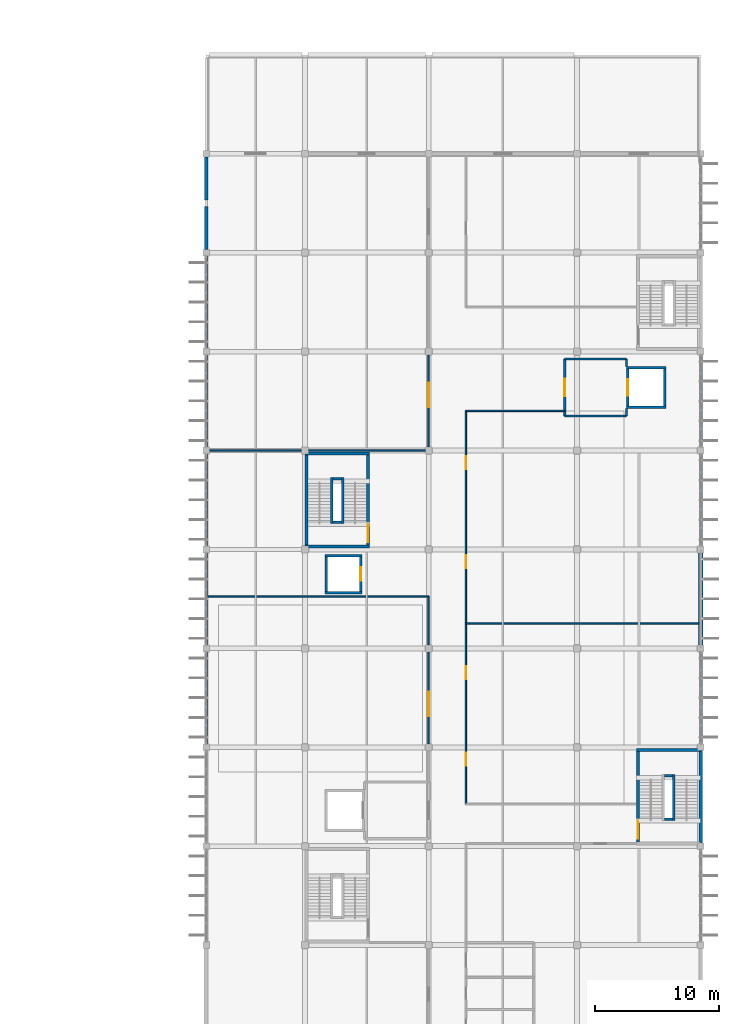
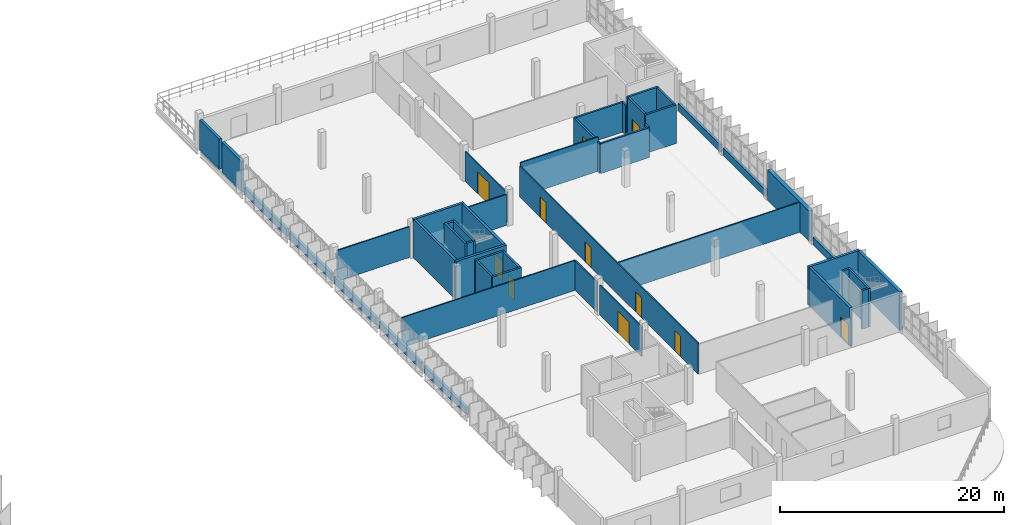
# One storey, part 28 of 38: 47 walls, 11 doors, 11 openings.
"""IFC4 building model written with IfcOpenShell, lengths in metres."""

from ifc_helpers import new_model, si_unit, direction, frame, frame_2d, origin, place, context, subcontext, project, spatial, rectangle, extrude, material, layer, layer_set, type_object, element, fill, save


model = new_model("IFC4")

# Units and contexts
model_context = context("Model", 3, precision=1e-05, world=origin(), true_north=direction((0.0, 1.0)))
body_context = subcontext(model_context, "Body", "Model", "MODEL_VIEW")
ifc_project = project(units=[si_unit("LENGTHUNIT", "METRE"), si_unit("AREAUNIT", "SQUARE_METRE"), si_unit("VOLUMEUNIT", "CUBIC_METRE"), si_unit("PLANEANGLEUNIT", "RADIAN"), si_unit("MASSUNIT", "GRAM", prefix="KILO")], contexts=[model_context])

# Site, building, storey
site_placement = place(None, origin())
site = spatial("IfcSite", under=ifc_project, at=site_placement, CompositionType="ELEMENT")
building_placement = place(site_placement, origin())
building = spatial("IfcBuilding", under=site, at=building_placement, Name="Drelvana Railside Aquatics Centre", CompositionType="ELEMENT")
storey_placement = place(building_placement, frame((0.0, 0.0, 14.39990234375)))
storey = spatial("IfcBuildingStorey", under=building, at=storey_placement, Name="L03", CompositionType="ELEMENT", Elevation=14.39990234375)

# Walls
ifc_material_1 = material(Name="Concrete blockwork compartment wall", Category="masonry")
ifc_layer_1 = layer(ifc_material_1, 0.18505859375, Name="Concrete blockwork compartment wall")
ifc_layer_set_1 = layer_set([ifc_layer_1], Name="Concrete blockwork compartment wall")
wall_type_1 = type_object("IfcWallType", Name="WL-COMP-185", PredefinedType="STANDARD", material=ifc_layer_set_1)
for number, where, z_axis, x_axis, name in (
    (1, (178.0, 66.800048828125, 0.0), (0.0, 0.0, 1.0), (-1.0, 0.0, 0.0), "Firefighting lobby FL-02 S wall (L03)"),
    (2, (173.0, 71.39990234375, 0.0), (0.0, 0.0, 1.0), (1.0, 0.0, 0.0), "Firefighting lobby FL-02 N wall (L03)"),
):
    element("IfcWall", number, at=place(storey_placement, frame(where, z_axis=z_axis, x_axis=x_axis)), inside=storey, type_object=wall_type_1, Name=name, PredefinedType="STANDARD", context=body_context, shape_type="SweptSolid", body=[
        extrude(rectangle(XDim=5.0, YDim=0.18505859375, at=frame_2d((2.5, 0.0))), origin(), (0.0, 0.0, 1.0), 3.255126953125),
    ])

# Wall, opening, door
wall_1_placement = place(storey_placement, frame((173.0, 66.800048828125, 0.0), z_axis=(0.0, 0.0, 1.0), x_axis=(0.0, 1.0, 0.0)))
wall_1 = element("IfcWall", 3, at=wall_1_placement, inside=storey, type_object=wall_type_1, Name="Firefighting lobby FL-02 COR wall (L03)", PredefinedType="STANDARD", context=body_context, shape_type="SweptSolid", body=[
    extrude(rectangle(XDim=4.599853515625, YDim=0.18505859375, at=frame_2d((2.2998046875, 0.0))), origin(), (0.0, 0.0, 1.0), 3.255126953125),
])
opening_1_placement = place(wall_1_placement, frame((1.60009765625, 0.0, 0.0)))
opening_1 = element("IfcOpeningElement", 4, at=opening_1_placement, cuts=wall_1, Name="Opening D-03-068", PredefinedType="OPENING", context=body_context, shape_type="SweptSolid", body=[
    extrude(rectangle(XDim=1.39990234375, YDim=2.199951171875, at=frame_2d((0.699951171875, 1.10009765625))), frame((0.0, 0.1025390625, 0.0), z_axis=(0.0, -1.0, 0.0), x_axis=(1.0, 0.0, 0.0)), (0.0, 0.0, 1.0), 0.205078125),
])
ifc_material_2 = material(Name="Firefighting lobby door", Category="wood")
door_type_1 = type_object("IfcDoorType", Name="DR-INT-FFLOB-1400x2200", OperationType="DOUBLE_DOOR_SINGLE_SWING", PredefinedType="DOOR", material=ifc_material_2)
door_1_placement = place(opening_1_placement, origin())
door_1 = element("IfcDoor", 5, at=door_1_placement, inside=storey, type_object=door_type_1, Name="Firefighting lobby FL-02 door D-03-068", OperationType="DOUBLE_DOOR_SINGLE_SWING", OverallHeight=2.199951171875, OverallWidth=1.39990234375, PredefinedType="DOOR", context=body_context, shape_type="SweptSolid", body=[
    extrude(rectangle(XDim=1.39990234375, YDim=2.199951171875, at=frame_2d((0.699951171875, 1.10009765625))), frame((0.0, 0.02490234375, 0.0), z_axis=(0.0, -1.0, 0.0), x_axis=(1.0, 0.0, 0.0)), (0.0, 0.0, 1.0), 0.050048828125),
])
fill(opening_1, door_1)

# Walls
for number, where, z_axis, x_axis, name in (
    (6, (178.0, 66.800048828125, 0.0), (0.0, 0.0, 1.0), (0.0, 1.0, 0.0), "Firefighting lobby FL-02 SHS wall (L03)"),
    (7, (178.0, 70.800048828125, 0.0), (0.0, 0.0, 1.0), (0.0, 1.0, 0.0), "Firefighting lobby FL-02 SHN wall (L03)"),
):
    element("IfcWall", number, at=place(storey_placement, frame(where, z_axis=z_axis, x_axis=x_axis)), inside=storey, type_object=wall_type_1, Name=name, PredefinedType="STANDARD", context=body_context, shape_type="SweptSolid", body=[
        extrude(rectangle(XDim=0.599853515625, YDim=0.18505859375, at=frame_2d((0.2998046875, 0.0))), origin(), (0.0, 0.0, 1.0), 3.255126953125),
    ])
ifc_material_3 = material(Name="Concrete C40/50", Category="concrete")
ifc_layer_2 = layer(ifc_material_3, 0.25, Name="Concrete C40/50")
ifc_layer_set_2 = layer_set([ifc_layer_2], Name="Concrete C40/50")
wall_type_2 = type_object("IfcWallType", Name="WL-CORE-250", PredefinedType="SHEAR", material=ifc_layer_set_2)
for number, where, z_axis, x_axis, name in (
    (8, (152.0, 56.22509765625, 0.0), (0.0, 0.0, 1.0), (1.0, 0.0, 0.0), "Core 8 Federation Wing Central-West S core wall (L03)"),
    (9, (152.0, 63.77490234375, 0.0), (0.0, 0.0, 1.0), (1.0, 0.0, 0.0), "Core 8 Federation Wing Central-West N core wall (L03)"),
):
    element("IfcWall", number, at=place(storey_placement, frame(where, z_axis=z_axis, x_axis=x_axis)), inside=storey, type_object=wall_type_2, Name=name, PredefinedType="SHEAR", context=body_context, shape_type="SweptSolid", body=[
        extrude(rectangle(XDim=5.199951171875, YDim=0.25, at=frame_2d((2.60009765625, 0.0))), origin(), (0.0, 0.0, 1.0), 4.2001953125),
    ])
wall_2_placement = place(storey_placement, frame((152.125, 56.35009765625, 0.0), z_axis=(0.0, 0.0, 1.0), x_axis=(0.0, 1.0, 0.0)))
element("IfcWall", 10, at=wall_2_placement, inside=storey, type_object=wall_type_2, Name="Core 8 Federation Wing Central-West W core wall (L03)", PredefinedType="SHEAR", context=body_context, shape_type="SweptSolid", body=[
    extrude(rectangle(XDim=7.2998046875, YDim=0.25, at=frame_2d((3.64990234375, 0.0))), origin(), (0.0, 0.0, 1.0), 4.2001953125),
])

# Wall, opening, door
wall_3_placement = place(storey_placement, frame((157.074951171875, 56.35009765625, 0.0), z_axis=(0.0, 0.0, 1.0), x_axis=(0.0, 1.0, 0.0)))
wall_3 = element("IfcWall", 11, at=wall_3_placement, inside=storey, type_object=wall_type_2, Name="Core 8 Federation Wing Central-West E core wall (L03)", PredefinedType="SHEAR", context=body_context, shape_type="SweptSolid", body=[
    extrude(rectangle(XDim=7.2998046875, YDim=0.25, at=frame_2d((3.64990234375, 0.0))), origin(), (0.0, 0.0, 1.0), 4.2001953125),
])
opening_2_placement = place(wall_3_placement, frame((0.25, 0.0, 0.0)))
opening_2 = element("IfcOpeningElement", 12, at=opening_2_placement, cuts=wall_3, Name="Opening D-01-075", PredefinedType="OPENING", context=body_context, shape_type="SweptSolid", body=[
    extrude(rectangle(XDim=1.449951171875, YDim=2.199951171875, at=frame_2d((0.72509765625, 1.10009765625))), frame((0.0, 0.135009765625, 0.0), z_axis=(0.0, -1.0, 0.0), x_axis=(1.0, 0.0, 0.0)), (0.0, 0.0, 1.0), 0.27001953125),
])
ifc_material_4 = material(Name="Fire-rated steel and vision-panel door", Category="steel")
door_type_2 = type_object("IfcDoorType", Name="DR-INT-STAIR-1450x2200", OperationType="DOUBLE_DOOR_SINGLE_SWING", PredefinedType="DOOR", material=ifc_material_4)
door_2_placement = place(opening_2_placement, origin())
door_2 = element("IfcDoor", 13, at=door_2_placement, inside=storey, type_object=door_type_2, Name="Stair ST-08 lobby door D-01-075", OperationType="DOUBLE_DOOR_SINGLE_SWING", OverallHeight=2.199951171875, OverallWidth=1.449951171875, PredefinedType="DOOR", context=body_context, shape_type="SweptSolid", body=[
    extrude(rectangle(XDim=1.449951171875, YDim=2.199951171875, at=frame_2d((0.72509765625, 1.10009765625))), frame((0.0, 0.02490234375, 0.0), z_axis=(0.0, -1.0, 0.0), x_axis=(1.0, 0.0, 0.0)), (0.0, 0.0, 1.0), 0.050048828125),
])
fill(opening_2, door_2)

# Wall
wall_4_placement = place(storey_placement, frame((178.800048828125, 39.77490234375, 0.0), z_axis=(0.0, 0.0, 1.0), x_axis=(1.0, 0.0, 0.0)))
element("IfcWall", 14, at=wall_4_placement, inside=storey, type_object=wall_type_2, Name="Core 9 Federation Wing Avenue-South N core wall (L03)", PredefinedType="SHEAR", context=body_context, shape_type="SweptSolid", body=[
    extrude(rectangle(XDim=5.199951171875, YDim=0.25, at=frame_2d((2.60009765625, 0.0))), origin(), (0.0, 0.0, 1.0), 4.2001953125),
])

# Wall, opening, door
wall_5_placement = place(storey_placement, frame((178.925048828125, 32.35009765625, 0.0), z_axis=(0.0, 0.0, 1.0), x_axis=(0.0, 1.0, 0.0)))
wall_5 = element("IfcWall", 15, at=wall_5_placement, inside=storey, type_object=wall_type_2, Name="Core 9 Federation Wing Avenue-South W core wall (L03)", PredefinedType="SHEAR", context=body_context, shape_type="SweptSolid", body=[
    extrude(rectangle(XDim=7.2998046875, YDim=0.25, at=frame_2d((3.64990234375, 0.0))), origin(), (0.0, 0.0, 1.0), 4.2001953125),
])
opening_3_placement = place(wall_5_placement, frame((0.25, 0.0, 0.0)))
opening_3 = element("IfcOpeningElement", 16, at=opening_3_placement, cuts=wall_5, Name="Opening D-01-087", PredefinedType="OPENING", context=body_context, shape_type="SweptSolid", body=[
    extrude(rectangle(XDim=1.449951171875, YDim=2.199951171875, at=frame_2d((0.72509765625, 1.10009765625))), frame((0.0, 0.135009765625, 0.0), z_axis=(0.0, -1.0, 0.0), x_axis=(1.0, 0.0, 0.0)), (0.0, 0.0, 1.0), 0.27001953125),
])
door_3_placement = place(opening_3_placement, origin())
door_3 = element("IfcDoor", 17, at=door_3_placement, inside=storey, type_object=door_type_2, Name="Stair ST-09 lobby door D-01-087", OperationType="DOUBLE_DOOR_SINGLE_SWING", OverallHeight=2.199951171875, OverallWidth=1.449951171875, PredefinedType="DOOR", context=body_context, shape_type="SweptSolid", body=[
    extrude(rectangle(XDim=1.449951171875, YDim=2.199951171875, at=frame_2d((0.72509765625, 1.10009765625))), frame((0.0, 0.02490234375, 0.0), z_axis=(0.0, -1.0, 0.0), x_axis=(1.0, 0.0, 0.0)), (0.0, 0.0, 1.0), 0.050048828125),
])
fill(opening_3, door_3)

# Wall
ifc_layer_3 = layer(ifc_material_3, 0.300048828125, Name="Concrete C40/50")
ifc_layer_set_3 = layer_set([ifc_layer_3], Name="Concrete C40/50")
wall_type_3 = type_object("IfcWallType", Name="WL-CORE-300", PredefinedType="SHEAR", material=ifc_layer_set_3)
wall_6_placement = place(storey_placement, frame((184.0, 32.27099609375, 0.0), z_axis=(0.0, 0.0, 1.0), x_axis=(0.0, 1.0, 0.0)))
element("IfcWall", 18, at=wall_6_placement, inside=storey, type_object=wall_type_3, Name="Core east avenue shear wall 32 (L03)", PredefinedType="SHEAR", context=body_context, shape_type="SweptSolid", body=[
    extrude(rectangle(XDim=7.4580078125, YDim=0.300048828125, at=frame_2d((3.72900390625, 0.0))), origin(), (0.0, 0.0, 1.0), 4.2001953125),
])

# Wall, opening, door
ifc_material_5 = material(Name="Acoustic twin-stud gypsum partition", Category="gypsum")
ifc_layer_4 = layer(ifc_material_5, 0.1201171875, Name="Acoustic twin-stud gypsum partition")
ifc_layer_set_4 = layer_set([ifc_layer_4], Name="Acoustic twin-stud gypsum partition")
wall_type_4 = type_object("IfcWallType", Name="WL-DRY-120", PredefinedType="PARTITIONING", material=ifc_layer_set_4)
wall_7_placement = place(storey_placement, frame((162.0, 40.277099609375, 0.0), z_axis=(0.0, 0.0, 1.0), x_axis=(0.0, 1.0, 0.0)))
wall_7 = element("IfcWall", 19, at=wall_7_placement, inside=storey, type_object=wall_type_4, Name="V5 L03 west corridor wall", PredefinedType="PARTITIONING", context=body_context, shape_type="SweptSolid", body=[
    extrude(rectangle(XDim=7.44580078125, YDim=0.1201171875, at=frame_2d((3.722900390625, 0.0))), origin(), (0.0, 0.0, 1.0), 3.255126953125),
])
opening_4_placement = place(wall_7_placement, frame((2.222900390625, 0.0, 0.0)))
opening_4 = element("IfcOpeningElement", 20, at=opening_4_placement, cuts=wall_7, Name="Opening D-06-239", PredefinedType="OPENING", context=body_context, shape_type="SweptSolid", body=[
    extrude(rectangle(XDim=2.0, YDim=2.39990234375, at=frame_2d((1.0, 1.199951171875))), frame((0.0, 0.070068359375, 0.0), z_axis=(0.0, -1.0, 0.0), x_axis=(1.0, 0.0, 0.0)), (0.0, 0.0, 1.0), 0.14013671875),
])
ifc_material_6 = material(Name="Glazed bronze-aluminium concourse door", Category="aluminium")
door_type_3 = type_object("IfcDoorType", Name="DR-INT-HALL-2000x2400", OperationType="DOUBLE_DOOR_SINGLE_SWING", PredefinedType="DOOR", material=ifc_material_6)
door_4_placement = place(opening_4_placement, origin())
door_4 = element("IfcDoor", 21, at=door_4_placement, inside=storey, type_object=door_type_3, Name="Sports nutrition dining door D-06-239", OperationType="DOUBLE_DOOR_SINGLE_SWING", OverallHeight=2.39990234375, OverallWidth=2.0, PredefinedType="DOOR", context=body_context, shape_type="SweptSolid", body=[
    extrude(rectangle(XDim=2.0, YDim=2.39990234375, at=frame_2d((1.0, 1.199951171875))), frame((0.0, 0.02490234375, 0.0), z_axis=(0.0, -1.0, 0.0), x_axis=(1.0, 0.0, 0.0)), (0.0, 0.0, 1.0), 0.050048828125),
])
fill(opening_4, door_4)

# Wall
wall_8_placement = place(storey_placement, frame((162.0, 48.277099609375, 0.0), z_axis=(0.0, 0.0, 1.0), x_axis=(0.0, 1.0, 0.0)))
element("IfcWall", 22, at=wall_8_placement, inside=storey, type_object=wall_type_4, Name="V5 L03 west corridor wall", PredefinedType="PARTITIONING", context=body_context, shape_type="SweptSolid", body=[
    extrude(rectangle(XDim=3.9228515625, YDim=0.1201171875, at=frame_2d((1.96142578125, 0.0))), origin(), (0.0, 0.0, 1.0), 3.255126953125),
])

# Wall, opening, door
wall_9_placement = place(storey_placement, frame((162.0, 64.277099609375, 0.0), z_axis=(0.0, 0.0, 1.0), x_axis=(0.0, 1.0, 0.0)))
wall_9 = element("IfcWall", 23, at=wall_9_placement, inside=storey, type_object=wall_type_4, Name="V5 L03 west corridor wall", PredefinedType="PARTITIONING", context=body_context, shape_type="SweptSolid", body=[
    extrude(rectangle(XDim=7.44580078125, YDim=0.1201171875, at=frame_2d((3.722900390625, 0.0))), origin(), (0.0, 0.0, 1.0), 3.255126953125),
])
opening_5_placement = place(wall_9_placement, frame((3.222900390625, 0.0, 0.0)))
opening_5 = element("IfcOpeningElement", 24, at=opening_5_placement, cuts=wall_9, Name="Opening D-06-240", PredefinedType="OPENING", context=body_context, shape_type="SweptSolid", body=[
    extrude(rectangle(XDim=2.0, YDim=2.39990234375, at=frame_2d((1.0, 1.199951171875))), frame((0.0, 0.070068359375, 0.0), z_axis=(0.0, -1.0, 0.0), x_axis=(1.0, 0.0, 0.0)), (0.0, 0.0, 1.0), 0.14013671875),
])
door_5_placement = place(opening_5_placement, origin())
door_5 = element("IfcDoor", 25, at=door_5_placement, inside=storey, type_object=door_type_3, Name="Regional aquatic club south door D-06-240", OperationType="DOUBLE_DOOR_SINGLE_SWING", OverallHeight=2.39990234375, OverallWidth=2.0, PredefinedType="DOOR", context=body_context, shape_type="SweptSolid", body=[
    extrude(rectangle(XDim=2.0, YDim=2.39990234375, at=frame_2d((1.0, 1.199951171875))), frame((0.0, 0.02490234375, 0.0), z_axis=(0.0, -1.0, 0.0), x_axis=(1.0, 0.0, 0.0)), (0.0, 0.0, 1.0), 0.050048828125),
])
fill(opening_5, door_5)

# Walls
wall_10_placement = place(storey_placement, frame((144.14990234375, 52.199951171875, 0.0), z_axis=(0.0, 0.0, 1.0), x_axis=(1.0, 0.0, 0.0)))
element("IfcWall", 26, at=wall_10_placement, inside=storey, type_object=wall_type_4, Name="V5 L03 LP-04 alcove S wall", PredefinedType="PARTITIONING", context=body_context, shape_type="SweptSolid", body=[
    extrude(rectangle(XDim=17.85009765625, YDim=0.1201171875, at=frame_2d((8.925048828125, 0.0))), origin(), (0.0, 0.0, 1.0), 3.255126953125),
])
wall_11_placement = place(storey_placement, frame((144.277099609375, 64.0, 0.0), z_axis=(0.0, 0.0, 1.0), x_axis=(1.0, 0.0, 0.0)))
element("IfcWall", 27, at=wall_11_placement, inside=storey, type_object=wall_type_4, Name="V5 L03 C8 alcove N wall", PredefinedType="PARTITIONING", context=body_context, shape_type="SweptSolid", body=[
    extrude(rectangle(XDim=7.44580078125, YDim=0.1201171875, at=frame_2d((3.722900390625, 0.0))), origin(), (0.0, 0.0, 1.0), 3.35498046875),
])
wall_12_placement = place(storey_placement, frame((152.277099609375, 64.0, 0.0), z_axis=(0.0, 0.0, 1.0), x_axis=(1.0, 0.0, 0.0)))
element("IfcWall", 28, at=wall_12_placement, inside=storey, type_object=wall_type_4, Name="V5 L03 C8 alcove N wall", PredefinedType="PARTITIONING", context=body_context, shape_type="SweptSolid", body=[
    extrude(rectangle(XDim=9.44580078125, YDim=0.1201171875, at=frame_2d((4.722900390625, 0.0))), origin(), (0.0, 0.0, 1.0), 3.35498046875),
])

# Wall, openings, doors
wall_13_placement = place(storey_placement, frame((165.0, 35.39990234375, 0.0), z_axis=(0.0, 0.0, 1.0), x_axis=(0.0, 1.0, 0.0)))
wall_13 = element("IfcWall", 29, at=wall_13_placement, inside=storey, type_object=wall_type_4, Name="V5 L03 east corridor wall", PredefinedType="PARTITIONING", context=body_context, shape_type="SweptSolid", body=[
    extrude(rectangle(XDim=31.800048828125, YDim=0.1201171875, at=frame_2d((15.89990234375, 0.0))), origin(), (0.0, 0.0, 1.0), 3.35498046875),
])
opening_6_placement = place(wall_13_placement, frame((3.10009765625, 0.0, 0.0)))
opening_6 = element("IfcOpeningElement", 30, at=opening_6_placement, cuts=wall_13, Name="Opening D-18-245", PredefinedType="OPENING", context=body_context, shape_type="SweptSolid", body=[
    extrude(rectangle(XDim=1.050048828125, YDim=2.199951171875, at=frame_2d((0.52490234375, 1.10009765625))), frame((0.0, 0.070068359375, 0.0), z_axis=(0.0, -1.0, 0.0), x_axis=(1.0, 0.0, 0.0)), (0.0, 0.0, 1.0), 0.14013671875),
])
opening_7_placement = place(wall_13_placement, frame((10.10009765625, 0.0, 0.0)))
opening_7 = element("IfcOpeningElement", 31, at=opening_7_placement, cuts=wall_13, Name="Opening D-18-246", PredefinedType="OPENING", context=body_context, shape_type="SweptSolid", body=[
    extrude(rectangle(XDim=1.050048828125, YDim=2.199951171875, at=frame_2d((0.52490234375, 1.10009765625))), frame((0.0, 0.070068359375, 0.0), z_axis=(0.0, -1.0, 0.0), x_axis=(1.0, 0.0, 0.0)), (0.0, 0.0, 1.0), 0.14013671875),
])
opening_8_placement = place(wall_13_placement, frame((19.10009765625, 0.0, 0.0)))
opening_8 = element("IfcOpeningElement", 32, at=opening_8_placement, cuts=wall_13, Name="Opening D-18-247", PredefinedType="OPENING", context=body_context, shape_type="SweptSolid", body=[
    extrude(rectangle(XDim=1.050048828125, YDim=2.199951171875, at=frame_2d((0.52490234375, 1.10009765625))), frame((0.0, 0.070068359375, 0.0), z_axis=(0.0, -1.0, 0.0), x_axis=(1.0, 0.0, 0.0)), (0.0, 0.0, 1.0), 0.14013671875),
])
opening_9_placement = place(wall_13_placement, frame((27.10009765625, 0.0, 0.0)))
opening_9 = element("IfcOpeningElement", 33, at=opening_9_placement, cuts=wall_13, Name="Opening D-18-248", PredefinedType="OPENING", context=body_context, shape_type="SweptSolid", body=[
    extrude(rectangle(XDim=1.050048828125, YDim=2.199951171875, at=frame_2d((0.52490234375, 1.10009765625))), frame((0.0, 0.070068359375, 0.0), z_axis=(0.0, -1.0, 0.0), x_axis=(1.0, 0.0, 0.0)), (0.0, 0.0, 1.0), 0.14013671875),
])
ifc_material_7 = material(Name="Seminar and boardroom acoustic door", Category="wood")
door_type_4 = type_object("IfcDoorType", Name="DR-INT-ROOM-1050x2200", OperationType="NOTDEFINED", PredefinedType="DOOR", material=ifc_material_7)
door_6_placement = place(opening_6_placement, origin())
door_6 = element("IfcDoor", 34, at=door_6_placement, inside=storey, type_object=door_type_4, Name="Seminar room 1 south door D-18-245", OperationType="SINGLE_SWING_LEFT", OverallHeight=2.199951171875, OverallWidth=1.050048828125, PredefinedType="DOOR", context=body_context, shape_type="SweptSolid", body=[
    extrude(rectangle(XDim=1.050048828125, YDim=2.199951171875, at=frame_2d((0.52490234375, 1.10009765625))), frame((0.0, 0.02490234375, 0.0), z_axis=(0.0, -1.0, 0.0), x_axis=(1.0, 0.0, 0.0)), (0.0, 0.0, 1.0), 0.050048828125),
])
fill(opening_6, door_6)
door_7_placement = place(opening_7_placement, origin())
door_7 = element("IfcDoor", 35, at=door_7_placement, inside=storey, type_object=door_type_4, Name="Seminar room 1 north door D-18-246", OperationType="SINGLE_SWING_RIGHT", OverallHeight=2.199951171875, OverallWidth=1.050048828125, PredefinedType="DOOR", context=body_context, shape_type="SweptSolid", body=[
    extrude(rectangle(XDim=1.050048828125, YDim=2.199951171875, at=frame_2d((0.52490234375, 1.10009765625))), frame((0.0, 0.02490234375, 0.0), z_axis=(0.0, -1.0, 0.0), x_axis=(1.0, 0.0, 0.0)), (0.0, 0.0, 1.0), 0.050048828125),
])
fill(opening_7, door_7)
door_8_placement = place(opening_8_placement, origin())
door_8 = element("IfcDoor", 36, at=door_8_placement, inside=storey, type_object=door_type_4, Name="Seminar room 2 south door D-18-247", OperationType="SINGLE_SWING_LEFT", OverallHeight=2.199951171875, OverallWidth=1.050048828125, PredefinedType="DOOR", context=body_context, shape_type="SweptSolid", body=[
    extrude(rectangle(XDim=1.050048828125, YDim=2.199951171875, at=frame_2d((0.52490234375, 1.10009765625))), frame((0.0, 0.02490234375, 0.0), z_axis=(0.0, -1.0, 0.0), x_axis=(1.0, 0.0, 0.0)), (0.0, 0.0, 1.0), 0.050048828125),
])
fill(opening_8, door_8)
door_9_placement = place(opening_9_placement, origin())
door_9 = element("IfcDoor", 37, at=door_9_placement, inside=storey, type_object=door_type_4, Name="Seminar room 2 north door D-18-248", OperationType="SINGLE_SWING_RIGHT", OverallHeight=2.199951171875, OverallWidth=1.050048828125, PredefinedType="DOOR", context=body_context, shape_type="SweptSolid", body=[
    extrude(rectangle(XDim=1.050048828125, YDim=2.199951171875, at=frame_2d((0.52490234375, 1.10009765625))), frame((0.0, 0.02490234375, 0.0), z_axis=(0.0, -1.0, 0.0), x_axis=(1.0, 0.0, 0.0)), (0.0, 0.0, 1.0), 0.050048828125),
])
fill(opening_9, door_9)

# Walls
wall_14_placement = place(storey_placement, frame((165.0, 67.199951171875, 0.0), z_axis=(0.0, 0.0, 1.0), x_axis=(1.0, 0.0, 0.0)))
element("IfcWall", 38, at=wall_14_placement, inside=storey, type_object=wall_type_4, Name="L03 C7 branch S wall", PredefinedType="PARTITIONING", context=body_context, shape_type="SweptSolid", body=[
    extrude(rectangle(XDim=8.0, YDim=0.1201171875, at=frame_2d((4.0, 0.0))), origin(), (0.0, 0.0, 1.0), 3.715087890625),
])
wall_15_placement = place(storey_placement, frame((165.0, 50.0, 0.0), z_axis=(0.0, 0.0, 1.0), x_axis=(1.0, 0.0, 0.0)))
element("IfcWall", 39, at=wall_15_placement, inside=storey, type_object=wall_type_4, Name="L03 East room divider", PredefinedType="PARTITIONING", context=body_context, shape_type="SweptSolid", body=[
    extrude(rectangle(XDim=18.840087890625, YDim=0.1201171875, at=frame_2d((9.419921875, 0.0))), origin(), (0.0, 0.0, 1.0), 3.255126953125),
])
ifc_material_8 = material(Name="Glazed ceramic spandrel wall", Category="masonry")
ifc_layer_5 = layer(ifc_material_8, 0.27001953125, Name="Glazed ceramic spandrel wall")
ifc_layer_set_5 = layer_set([ifc_layer_5], Name="Glazed ceramic spandrel wall")
wall_type_5 = type_object("IfcWallType", Name="WL-EXT-270", PredefinedType="STANDARD", material=ifc_layer_set_5)
for number, where, z_axis, x_axis, name in (
    (40, (144.0, 40.27099609375, 0.0), (0.0, 0.0, 1.0), (0.0, 1.0, 0.0), "V5 West L03 sill spandrel"),
    (41, (144.0, 48.27099609375, 0.0), (0.0, 0.0, 1.0), (0.0, 1.0, 0.0), "V5 West L03 sill spandrel"),
    (42, (144.0, 56.27099609375, 0.0), (0.0, 0.0, 1.0), (0.0, 1.0, 0.0), "V5 West L03 sill spandrel"),
    (43, (144.0, 64.27099609375, 0.0), (0.0, 0.0, 1.0), (0.0, 1.0, 0.0), "V5 West L03 sill spandrel"),
    (44, (144.0, 72.27099609375, 0.0), (0.0, 0.0, 1.0), (0.0, 1.0, 0.0), "V5 West L03 sill spandrel"),
    (45, (184.0, 40.27099609375, 0.0), (0.0, 0.0, 1.0), (0.0, 1.0, 0.0), "V5 East L03 sill spandrel"),
    (46, (184.0, 56.27099609375, 0.0), (0.0, 0.0, 1.0), (0.0, 1.0, 0.0), "V5 East L03 sill spandrel"),
    (47, (184.0, 64.27099609375, 0.0), (0.0, 0.0, 1.0), (0.0, 1.0, 0.0), "V5 East L03 sill spandrel"),
):
    element("IfcWall", number, at=place(storey_placement, frame(where, z_axis=z_axis, x_axis=x_axis)), inside=storey, type_object=wall_type_5, Name=name, PredefinedType="STANDARD", context=body_context, shape_type="SweptSolid", body=[
        extrude(rectangle(XDim=7.4580078125, YDim=0.27001953125, at=frame_2d((3.72900390625, 0.0))), origin(), (0.0, 0.0, 1.0), 0.800048828125),
    ])
ifc_material_9 = material(Name="Glazed ceramic and masonry facade wall", Category="masonry")
ifc_layer_6 = layer(ifc_material_9, 0.2900390625, Name="Glazed ceramic and masonry facade wall")
ifc_layer_set_6 = layer_set([ifc_layer_6], Name="Glazed ceramic and masonry facade wall")
wall_type_6 = type_object("IfcWallType", Name="WL-EXT-290", PredefinedType="STANDARD", material=ifc_layer_set_6)
for number, where, z_axis, x_axis, name in (
    (48, (144.0, 80.27099609375, 0.0), (0.0, 0.0, 1.0), (0.0, 1.0, 0.0), "V5 West pier wall 80"),
    (49, (144.0, 84.24609375, 0.0), (0.0, 0.0, 1.0), (0.0, 1.0, 0.0), "V5 West pier wall 84"),
):
    element("IfcWall", number, at=place(storey_placement, frame(where, z_axis=z_axis, x_axis=x_axis)), inside=storey, type_object=wall_type_6, Name=name, PredefinedType="STANDARD", context=body_context, shape_type="SweptSolid", body=[
        extrude(rectangle(XDim=3.48291015625, YDim=0.2900390625, at=frame_2d((1.741455078125, 0.0))), origin(), (0.0, 0.0, 1.0), 3.300048828125),
    ])
ifc_material_10 = material(Name="Heavy thermal-mass stone facade wall", Category="masonry")
ifc_layer_7 = layer(ifc_material_10, 0.389892578125, Name="Heavy thermal-mass stone facade wall")
ifc_layer_set_7 = layer_set([ifc_layer_7], Name="Heavy thermal-mass stone facade wall")
wall_type_7 = type_object("IfcWallType", Name="WL-EXT-390", PredefinedType="STANDARD", material=ifc_layer_set_7)
wall_16_placement = place(storey_placement, frame((184.0, 48.27099609375, 0.0), z_axis=(0.0, 0.0, 1.0), x_axis=(0.0, 1.0, 0.0)))
element("IfcWall", 50, at=wall_16_placement, inside=storey, type_object=wall_type_7, Name="V5 East braced masonry bay (L03)", PredefinedType="STANDARD", context=body_context, shape_type="SweptSolid", body=[
    extrude(rectangle(XDim=7.4580078125, YDim=0.389892578125, at=frame_2d((3.72900390625, 0.0))), origin(), (0.0, 0.0, 1.0), 3.300048828125),
])
ifc_layer_8 = layer(ifc_material_3, 0.199951171875, Name="Concrete C40/50")
ifc_layer_set_8 = layer_set([ifc_layer_8], Name="Concrete C40/50")
wall_type_8 = type_object("IfcWallType", Name="WL-SHFT-200", PredefinedType="SHEAR", material=ifc_layer_set_8)
for number, where, z_axis, x_axis, name in (
    (51, (178.0, 67.5, 0.0), (0.0, 0.0, 1.0), (1.0, 0.0, 0.0), "Lift FL-02 S shaft wall (L03)"),
    (52, (178.0, 70.699951171875, 0.0), (0.0, 0.0, 1.0), (1.0, 0.0, 0.0), "Lift FL-02 N shaft wall (L03)"),
):
    element("IfcWall", number, at=place(storey_placement, frame(where, z_axis=z_axis, x_axis=x_axis)), inside=storey, type_object=wall_type_8, Name=name, PredefinedType="SHEAR", context=body_context, shape_type="SweptSolid", body=[
        extrude(rectangle(XDim=3.199951171875, YDim=0.199951171875, at=frame_2d((1.60009765625, 0.0))), origin(), (0.0, 0.0, 1.0), 4.2001953125),
    ])

# Wall, opening, door
wall_17_placement = place(storey_placement, frame((178.10009765625, 67.60009765625, 0.0), z_axis=(0.0, 0.0, 1.0), x_axis=(0.0, 1.0, 0.0)))
wall_17 = element("IfcWall", 53, at=wall_17_placement, inside=storey, type_object=wall_type_8, Name="Lift FL-02 W shaft wall (L03)", PredefinedType="SHEAR", context=body_context, shape_type="SweptSolid", body=[
    extrude(rectangle(XDim=3.0, YDim=0.199951171875, at=frame_2d((1.5, 0.0))), origin(), (0.0, 0.0, 1.0), 4.2001953125),
])
opening_10_placement = place(wall_17_placement, frame((0.85009765625, 0.0, 0.0)))
opening_10 = element("IfcOpeningElement", 54, at=opening_10_placement, cuts=wall_17, Name="Opening LD-02-067", PredefinedType="OPENING", context=body_context, shape_type="SweptSolid", body=[
    extrude(rectangle(XDim=1.300048828125, YDim=2.300048828125, at=frame_2d((0.64990234375, 1.14990234375))), frame((0.0, 0.10986328125, 0.0), z_axis=(0.0, -1.0, 0.0), x_axis=(1.0, 0.0, 0.0)), (0.0, 0.0, 1.0), 0.219970703125),
])
ifc_material_11 = material(Name="Firefighting & goods lift sliding door", Category="wood")
door_type_5 = type_object("IfcDoorType", Name="DR-LIFT-LD-1300x2300", OperationType="SLIDING_TO_RIGHT", PredefinedType="DOOR", material=ifc_material_11)
door_10_placement = place(opening_10_placement, origin())
door_10 = element("IfcDoor", 55, at=door_10_placement, inside=storey, type_object=door_type_5, Name="Lift FL-02 landing door LD-02-067", OperationType="SLIDING_TO_RIGHT", OverallHeight=2.300048828125, OverallWidth=1.300048828125, PredefinedType="DOOR", context=body_context, shape_type="SweptSolid", body=[
    extrude(rectangle(XDim=1.300048828125, YDim=2.300048828125, at=frame_2d((0.64990234375, 1.14990234375))), frame((0.0, 0.02490234375, 0.0), z_axis=(0.0, -1.0, 0.0), x_axis=(1.0, 0.0, 0.0)), (0.0, 0.0, 1.0), 0.050048828125),
])
fill(opening_10, door_10)

# Walls
wall_18_placement = place(storey_placement, frame((181.10009765625, 67.60009765625, 0.0), z_axis=(0.0, 0.0, 1.0), x_axis=(0.0, 1.0, 0.0)))
element("IfcWall", 56, at=wall_18_placement, inside=storey, type_object=wall_type_8, Name="Lift FL-02 E shaft wall (L03)", PredefinedType="SHEAR", context=body_context, shape_type="SweptSolid", body=[
    extrude(rectangle(XDim=3.0, YDim=0.199951171875, at=frame_2d((1.5, 0.0))), origin(), (0.0, 0.0, 1.0), 4.2001953125),
])
for number, where, z_axis, x_axis, name in (
    (57, (154.169921875, 58.090087890625, 0.0), (0.0, 0.0, 1.0), (0.0, 1.0, 0.0), "Stair ST-08 central spine wall A (L03)"),
    (58, (155.030029296875, 58.090087890625, 0.0), (0.0, 0.0, 1.0), (0.0, 1.0, 0.0), "Stair ST-08 central spine wall B (L03)"),
):
    element("IfcWall", number, at=place(storey_placement, frame(where, z_axis=z_axis, x_axis=x_axis)), inside=storey, type_object=wall_type_8, Name=name, PredefinedType="SHEAR", context=body_context, shape_type="SweptSolid", body=[
        extrude(rectangle(XDim=3.719970703125, YDim=0.199951171875, at=frame_2d((1.85986328125, 0.0))), origin(), (0.0, 0.0, 1.0), 4.2001953125),
    ])
for number, where, z_axis, x_axis, name in (
    (59, (154.27001953125, 58.18994140625, 0.0), (0.0, 0.0, 1.0), (1.0, 0.0, 0.0), "Stair ST-08 central spine wall S (L03)"),
    (60, (154.27001953125, 61.7099609375, 0.0), (0.0, 0.0, 1.0), (1.0, 0.0, 0.0), "Stair ST-08 central spine wall N (L03)"),
):
    element("IfcWall", number, at=place(storey_placement, frame(where, z_axis=z_axis, x_axis=x_axis)), inside=storey, type_object=wall_type_8, Name=name, PredefinedType="SHEAR", context=body_context, shape_type="SweptSolid", body=[
        extrude(rectangle(XDim=0.659912109375, YDim=0.199951171875, at=frame_2d((0.330078125, 0.0))), origin(), (0.0, 0.0, 1.0), 4.2001953125),
    ])
for number, where, z_axis, x_axis, name in (
    (61, (153.60009765625, 52.5, 0.0), (0.0, 0.0, 1.0), (1.0, 0.0, 0.0), "Lift LP-04 S shaft wall (L03)"),
    (62, (153.60009765625, 55.5, 0.0), (0.0, 0.0, 1.0), (1.0, 0.0, 0.0), "Lift LP-04 N shaft wall (L03)"),
):
    element("IfcWall", number, at=place(storey_placement, frame(where, z_axis=z_axis, x_axis=x_axis)), inside=storey, type_object=wall_type_8, Name=name, PredefinedType="SHEAR", context=body_context, shape_type="SweptSolid", body=[
        extrude(rectangle(XDim=3.0, YDim=0.199951171875, at=frame_2d((1.5, 0.0))), origin(), (0.0, 0.0, 1.0), 4.2001953125),
    ])
wall_19_placement = place(storey_placement, frame((153.699951171875, 52.60009765625, 0.0), z_axis=(0.0, 0.0, 1.0), x_axis=(0.0, 1.0, 0.0)))
element("IfcWall", 63, at=wall_19_placement, inside=storey, type_object=wall_type_8, Name="Lift LP-04 W shaft wall (L03)", PredefinedType="SHEAR", context=body_context, shape_type="SweptSolid", body=[
    extrude(rectangle(XDim=2.7998046875, YDim=0.199951171875, at=frame_2d((1.39990234375, 0.0))), origin(), (0.0, 0.0, 1.0), 4.2001953125),
])

# Wall, opening, door
wall_20_placement = place(storey_placement, frame((156.5, 52.60009765625, 0.0), z_axis=(0.0, 0.0, 1.0), x_axis=(0.0, 1.0, 0.0)))
wall_20 = element("IfcWall", 64, at=wall_20_placement, inside=storey, type_object=wall_type_8, Name="Lift LP-04 E shaft wall (L03)", PredefinedType="SHEAR", context=body_context, shape_type="SweptSolid", body=[
    extrude(rectangle(XDim=2.7998046875, YDim=0.199951171875, at=frame_2d((1.39990234375, 0.0))), origin(), (0.0, 0.0, 1.0), 4.2001953125),
])
opening_11_placement = place(wall_20_placement, frame((0.85009765625, 0.0, 0.0)))
opening_11 = element("IfcOpeningElement", 65, at=opening_11_placement, cuts=wall_20, Name="Opening LD-01-081", PredefinedType="OPENING", context=body_context, shape_type="SweptSolid", body=[
    extrude(rectangle(XDim=1.10009765625, YDim=2.199951171875, at=frame_2d((0.550048828125, 1.10009765625))), frame((0.0, 0.10986328125, 0.0), z_axis=(0.0, -1.0, 0.0), x_axis=(1.0, 0.0, 0.0)), (0.0, 0.0, 1.0), 0.219970703125),
])
ifc_material_12 = material(Name="Stainless steel lift landing sliding door", Category="steel")
door_type_6 = type_object("IfcDoorType", Name="DR-LIFT-LD-1100x2200", OperationType="SLIDING_TO_LEFT", PredefinedType="DOOR", material=ifc_material_12)
door_11_placement = place(opening_11_placement, origin())
door_11 = element("IfcDoor", 66, at=door_11_placement, inside=storey, type_object=door_type_6, Name="Lift LP-04 landing door LD-01-081", OperationType="SLIDING_TO_LEFT", OverallHeight=2.199951171875, OverallWidth=1.10009765625, PredefinedType="DOOR", context=body_context, shape_type="SweptSolid", body=[
    extrude(rectangle(XDim=1.10009765625, YDim=2.199951171875, at=frame_2d((0.550048828125, 1.10009765625))), frame((0.0, 0.02490234375, 0.0), z_axis=(0.0, -1.0, 0.0), x_axis=(1.0, 0.0, 0.0)), (0.0, 0.0, 1.0), 0.050048828125),
])
fill(opening_11, door_11)

# Walls
wall_21_placement = place(storey_placement, frame((181.830078125, 34.090087890625, 0.0), z_axis=(0.0, 0.0, 1.0), x_axis=(0.0, 1.0, 0.0)))
element("IfcWall", 67, at=wall_21_placement, inside=storey, type_object=wall_type_8, Name="Stair ST-09 central spine wall B (L03)", PredefinedType="SHEAR", context=body_context, shape_type="SweptSolid", body=[
    extrude(rectangle(XDim=3.719970703125, YDim=0.199951171875, at=frame_2d((1.85986328125, 0.0))), origin(), (0.0, 0.0, 1.0), 4.2001953125),
])
for number, where, z_axis, x_axis, name in (
    (68, (181.070068359375, 34.18994140625, 0.0), (0.0, 0.0, 1.0), (1.0, 0.0, 0.0), "Stair ST-09 central spine wall S (L03)"),
    (69, (181.070068359375, 37.7099609375, 0.0), (0.0, 0.0, 1.0), (1.0, 0.0, 0.0), "Stair ST-09 central spine wall N (L03)"),
):
    element("IfcWall", number, at=place(storey_placement, frame(where, z_axis=z_axis, x_axis=x_axis)), inside=storey, type_object=wall_type_8, Name=name, PredefinedType="SHEAR", context=body_context, shape_type="SweptSolid", body=[
        extrude(rectangle(XDim=0.659912109375, YDim=0.199951171875, at=frame_2d((0.330078125, 0.0))), origin(), (0.0, 0.0, 1.0), 4.2001953125),
    ])

save(model, "model.ifc")
